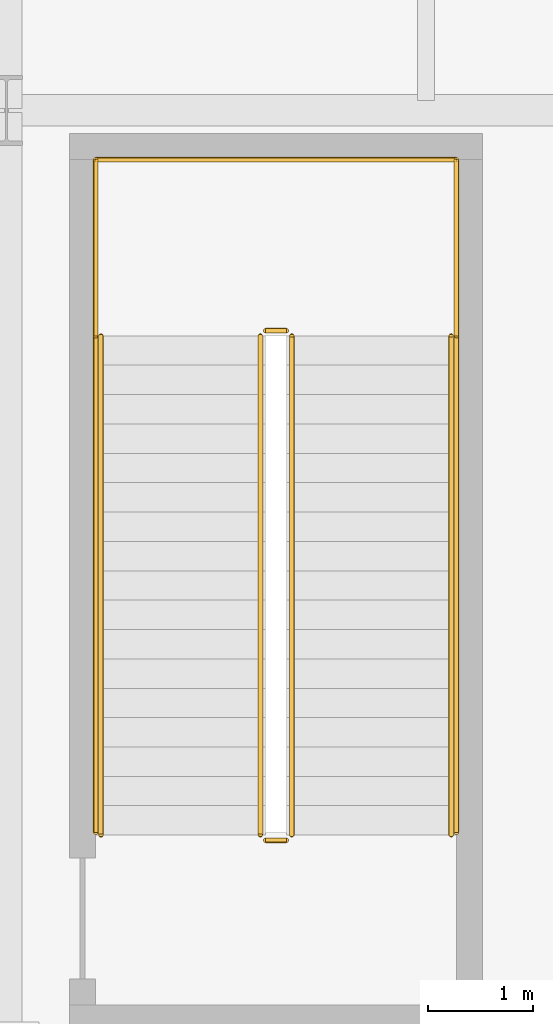
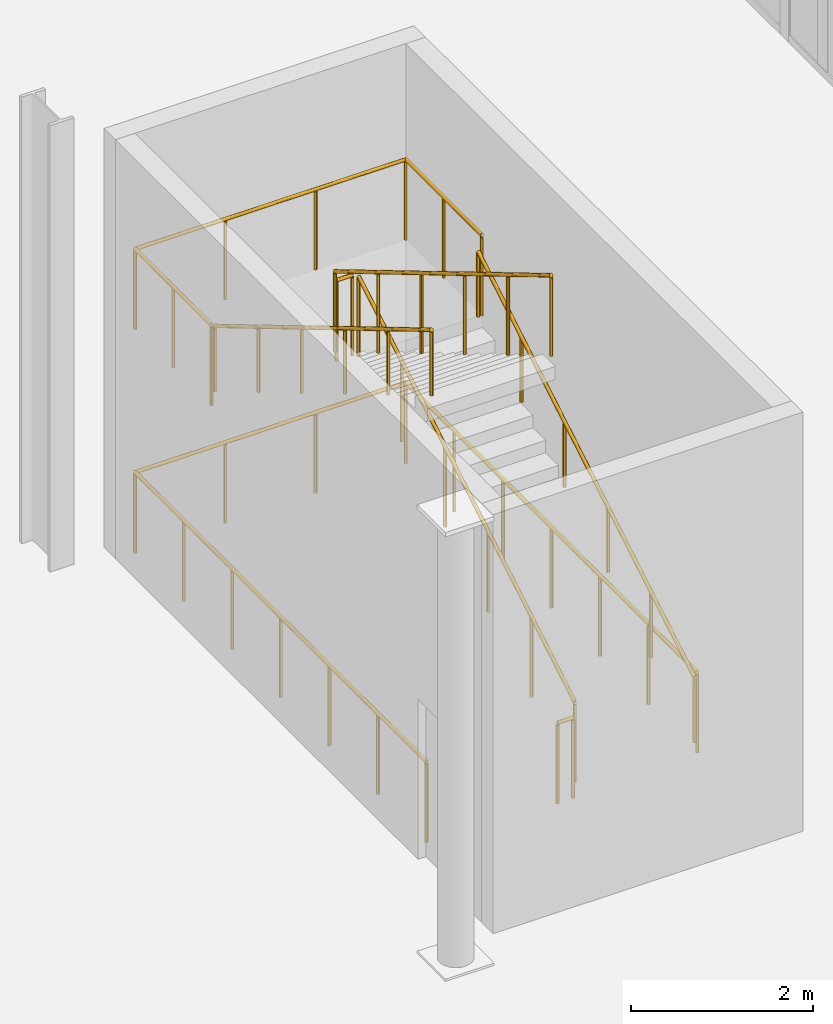
# One storey, part 200 of 211: 12 railings.
"""IFC4 building model written with IfcOpenShell, lengths in metres."""

from ifc_helpers import new_model, si_unit, direction, frame, origin, origin_2d, place, context, subcontext, project, spatial, circle, extrude, material, type_object, element, save


model = new_model("IFC4")

# Units and contexts
model_context = context("Model", 3, precision=1e-05, world=origin(), true_north=direction((0.0, 1.0)))
body_context = subcontext(model_context, "Body", "Model", "MODEL_VIEW")
ifc_project = project(units=[si_unit("LENGTHUNIT", "METRE"), si_unit("AREAUNIT", "SQUARE_METRE"), si_unit("VOLUMEUNIT", "CUBIC_METRE"), si_unit("PLANEANGLEUNIT", "RADIAN"), si_unit("MASSUNIT", "GRAM", prefix="KILO")], contexts=[model_context])

# Site, building, storey
site_placement = place(None, origin())
site = spatial("IfcSite", under=ifc_project, at=site_placement, CompositionType="ELEMENT")
building_placement = place(site_placement, origin())
building = spatial("IfcBuilding", under=site, at=building_placement, Name="Barlavento Convention Centre", CompositionType="ELEMENT")
storey_placement = place(building_placement, frame((0.0, 0.0, 6.0)))
storey = spatial("IfcBuildingStorey", under=building, at=storey_placement, Name="L01", CompositionType="ELEMENT", Elevation=6.0)

# Railings
ifc_material_1 = material(Name="Stainless steel and laminated glass balustrade", Category="steel")
railing_type_1 = type_object("IfcRailingType", Name="ARC-RAL-BAL-1100", PredefinedType="BALUSTRADE", material=ifc_material_1)
railing_1_placement = place(storey_placement, frame((182.719970703125, 11.090087890625, 0.166748046875)))
element("IfcRailing", 1, at=railing_1_placement, inside=storey, type_object=railing_type_1, Name="L01 ST14 stair guard 1", PredefinedType="BALUSTRADE", context=body_context, shape_type="SweptSolid", body=[
    extrude(circle(Radius=0.02392578125, at=origin_2d()), frame((0.0, 0.0, 1.076171875), z_axis=(0.0, 0.859299802514, 0.511472237174), x_axis=(-1.0, 0.0, 0.0)), (0.0, 0.0, 1.0), 5.539306640625),
    extrude(circle(Radius=0.02099609375, at=origin_2d()), origin(), (0.0, 0.0, 1.0), 1.052001953125),
    extrude(circle(Radius=0.02099609375, at=origin_2d()), frame((0.0, 0.951904296875, 0.566650390625)), (0.0, 0.0, 1.0), 1.052001953125),
    extrude(circle(Radius=0.02099609375, at=origin_2d()), frame((0.0, 1.904052734375, 1.13330078125)), (0.0, 0.0, 1.0), 1.052001953125),
    extrude(circle(Radius=0.02099609375, at=origin_2d()), frame((0.0, 2.85595703125, 1.699951171875)), (0.0, 0.0, 1.0), 1.052001953125),
    extrude(circle(Radius=0.02099609375, at=origin_2d()), frame((0.0, 3.80810546875, 2.2666015625)), (0.0, 0.0, 1.0), 1.052001953125),
    extrude(circle(Radius=0.02099609375, at=origin_2d()), frame((0.0, 4.760009765625, 2.833251953125)), (0.0, 0.0, 1.0), 1.052001953125),
])
railing_2_placement = place(storey_placement, frame((182.669921875, 15.89990234375, 3.0)))
element("IfcRailing", 2, at=railing_2_placement, inside=storey, type_object=railing_type_1, Name="L01 ST14 stair guard 2", PredefinedType="BALUSTRADE", context=body_context, shape_type="SweptSolid", body=[
    extrude(circle(Radius=0.02392578125, at=origin_2d()), frame((0.0, 0.0, 1.076171875), z_axis=(-1.0, 0.0, 0.0), x_axis=(0.0, -1.0, 0.0)), (0.0, 0.0, 1.0), 0.199951171875),
    extrude(circle(Radius=0.02099609375, at=origin_2d()), origin(), (0.0, 0.0, 1.0), 1.052001953125),
    extrude(circle(Radius=0.02099609375, at=origin_2d()), frame((-0.199951171875, 0.0, 0.0)), (0.0, 0.0, 1.0), 1.052001953125),
])
railing_3_placement = place(storey_placement, frame((182.419921875, 15.85009765625, 3.166748046875)))
element("IfcRailing", 3, at=railing_3_placement, inside=storey, type_object=railing_type_1, Name="L01 ST14 stair guard 3", PredefinedType="BALUSTRADE", context=body_context, shape_type="SweptSolid", body=[
    extrude(circle(Radius=0.02392578125, at=origin_2d()), frame((0.0, 0.0, 1.076171875), z_axis=(0.0, -0.859299802514, 0.511472237174), x_axis=(1.0, 0.0, 0.0)), (0.0, 0.0, 1.0), 5.539306640625),
    extrude(circle(Radius=0.02099609375, at=origin_2d()), origin(), (0.0, 0.0, 1.0), 1.052001953125),
    extrude(circle(Radius=0.02099609375, at=origin_2d()), frame((0.0, -0.951904296875, 0.566650390625)), (0.0, 0.0, 1.0), 1.052001953125),
    extrude(circle(Radius=0.02099609375, at=origin_2d()), frame((0.0, -1.904052734375, 1.13330078125)), (0.0, 0.0, 1.0), 1.052001953125),
    extrude(circle(Radius=0.02099609375, at=origin_2d()), frame((0.0, -2.85595703125, 1.699951171875)), (0.0, 0.0, 1.0), 1.052001953125),
    extrude(circle(Radius=0.02099609375, at=origin_2d()), frame((0.0, -3.80810546875, 2.2666015625)), (0.0, 0.0, 1.0), 1.052001953125),
    extrude(circle(Radius=0.02099609375, at=origin_2d()), frame((0.0, -4.760009765625, 2.833251953125)), (0.0, 0.0, 1.0), 1.052001953125),
])
railing_4_placement = place(storey_placement, frame((182.669921875, 11.0400390625, 0.0)))
element("IfcRailing", 4, at=railing_4_placement, inside=storey, type_object=railing_type_1, Name="L01 ST14 stair guard 4", PredefinedType="BALUSTRADE", context=body_context, shape_type="SweptSolid", body=[
    extrude(circle(Radius=0.02392578125, at=origin_2d()), frame((0.0, 0.0, 1.076171875), z_axis=(-1.0, 0.0, 0.0), x_axis=(0.0, -1.0, 0.0)), (0.0, 0.0, 1.0), 0.199951171875),
    extrude(circle(Radius=0.02099609375, at=origin_2d()), origin(), (0.0, 0.0, 1.0), 1.052001953125),
    extrude(circle(Radius=0.02099609375, at=origin_2d()), frame((-0.199951171875, 0.0, 0.0)), (0.0, 0.0, 1.0), 1.052001953125),
])
for number, where, name in (
    (5, (184.2900390625, 15.85009765625, 3.0), "L01 landing guard GR01"),
    (6, (180.85009765625, 15.85009765625, 3.0), "L01 landing guard GR01"),
):
    element("IfcRailing", number, at=place(storey_placement, frame(where)), inside=storey, type_object=railing_type_1, Name=name, PredefinedType="BALUSTRADE", context=body_context, shape_type="SweptSolid", body=[
        extrude(circle(Radius=0.02392578125, at=origin_2d()), frame((0.0, 0.0, 1.076171875), z_axis=(0.0, 1.0, 0.0), x_axis=(-1.0, 0.0, 0.0)), (0.0, 0.0, 1.0), 1.679931640625),
        extrude(circle(Radius=0.02099609375, at=origin_2d()), origin(), (0.0, 0.0, 1.0), 1.052001953125),
        extrude(circle(Radius=0.02099609375, at=origin_2d()), frame((0.0, 0.83984375, 0.0)), (0.0, 0.0, 1.0), 1.052001953125),
        extrude(circle(Radius=0.02099609375, at=origin_2d()), frame((0.0, 1.679931640625, 0.0)), (0.0, 0.0, 1.0), 1.052001953125),
    ])
railing_5_placement = place(storey_placement, frame((184.2900390625, 17.530029296875, 3.0)))
element("IfcRailing", 7, at=railing_5_placement, inside=storey, type_object=railing_type_1, Name="L01 landing guard GR01", PredefinedType="BALUSTRADE", context=body_context, shape_type="SweptSolid", body=[
    extrude(circle(Radius=0.02392578125, at=origin_2d()), frame((0.0, 0.0, 1.076171875), z_axis=(-1.0, 0.0, 0.0), x_axis=(0.0, -1.0, 0.0)), (0.0, 0.0, 1.0), 3.43994140625),
    extrude(circle(Radius=0.02099609375, at=origin_2d()), origin(), (0.0, 0.0, 1.0), 1.052001953125),
    extrude(circle(Radius=0.02099609375, at=origin_2d()), frame((-1.146728515625, 0.0, 0.0)), (0.0, 0.0, 1.0), 1.052001953125),
    extrude(circle(Radius=0.02099609375, at=origin_2d()), frame((-2.293212890625, 0.0, 0.0)), (0.0, 0.0, 1.0), 1.052001953125),
    extrude(circle(Radius=0.02099609375, at=origin_2d()), frame((-3.43994140625, 0.0, 0.0)), (0.0, 0.0, 1.0), 1.052001953125),
])
railing_6_placement = place(storey_placement, frame((184.2900390625, 11.114990234375, 0.0)))
element("IfcRailing", 8, at=railing_6_placement, inside=storey, type_object=railing_type_1, Name="L01 stairwell perimeter guard GR01", PredefinedType="BALUSTRADE", context=body_context, shape_type="SweptSolid", body=[
    extrude(circle(Radius=0.02392578125, at=origin_2d()), frame((0.0, 0.0, 1.076171875), z_axis=(0.0, 1.0, 0.0), x_axis=(-1.0, 0.0, 0.0)), (0.0, 0.0, 1.0), 6.4150390625),
    extrude(circle(Radius=0.02099609375, at=origin_2d()), origin(), (0.0, 0.0, 1.0), 1.052001953125),
    extrude(circle(Radius=0.02099609375, at=origin_2d()), frame((0.0, 1.069091796875, 0.0)), (0.0, 0.0, 1.0), 1.052001953125),
    extrude(circle(Radius=0.02099609375, at=origin_2d()), frame((0.0, 2.138427734375, 0.0)), (0.0, 0.0, 1.0), 1.052001953125),
    extrude(circle(Radius=0.02099609375, at=origin_2d()), frame((0.0, 3.20751953125, 0.0)), (0.0, 0.0, 1.0), 1.052001953125),
    extrude(circle(Radius=0.02099609375, at=origin_2d()), frame((0.0, 4.276611328125, 0.0)), (0.0, 0.0, 1.0), 1.052001953125),
    extrude(circle(Radius=0.02099609375, at=origin_2d()), frame((0.0, 5.345947265625, 0.0)), (0.0, 0.0, 1.0), 1.052001953125),
    extrude(circle(Radius=0.02099609375, at=origin_2d()), frame((0.0, 6.4150390625, 0.0)), (0.0, 0.0, 1.0), 1.052001953125),
])
railing_7_placement = place(storey_placement, frame((184.2900390625, 17.530029296875, 0.0)))
element("IfcRailing", 9, at=railing_7_placement, inside=storey, type_object=railing_type_1, Name="L01 stairwell perimeter guard GR01", PredefinedType="BALUSTRADE", context=body_context, shape_type="SweptSolid", body=[
    extrude(circle(Radius=0.02392578125, at=origin_2d()), frame((0.0, 0.0, 1.076171875), z_axis=(-1.0, 0.0, 0.0), x_axis=(0.0, -1.0, 0.0)), (0.0, 0.0, 1.0), 3.43994140625),
    extrude(circle(Radius=0.02099609375, at=origin_2d()), origin(), (0.0, 0.0, 1.0), 1.052001953125),
    extrude(circle(Radius=0.02099609375, at=origin_2d()), frame((-1.146728515625, 0.0, 0.0)), (0.0, 0.0, 1.0), 1.052001953125),
    extrude(circle(Radius=0.02099609375, at=origin_2d()), frame((-2.293212890625, 0.0, 0.0)), (0.0, 0.0, 1.0), 1.052001953125),
    extrude(circle(Radius=0.02099609375, at=origin_2d()), frame((-3.43994140625, 0.0, 0.0)), (0.0, 0.0, 1.0), 1.052001953125),
])
railing_8_placement = place(storey_placement, frame((180.85009765625, 17.530029296875, 0.0)))
element("IfcRailing", 10, at=railing_8_placement, inside=storey, type_object=railing_type_1, Name="L01 stairwell perimeter guard GR01", PredefinedType="BALUSTRADE", context=body_context, shape_type="SweptSolid", body=[
    extrude(circle(Radius=0.02392578125, at=origin_2d()), frame((0.0, 0.0, 1.076171875), z_axis=(0.0, -1.0, 0.0), x_axis=(1.0, 0.0, 0.0)), (0.0, 0.0, 1.0), 6.4150390625),
    extrude(circle(Radius=0.02099609375, at=origin_2d()), origin(), (0.0, 0.0, 1.0), 1.052001953125),
    extrude(circle(Radius=0.02099609375, at=origin_2d()), frame((0.0, -1.069091796875, 0.0)), (0.0, 0.0, 1.0), 1.052001953125),
    extrude(circle(Radius=0.02099609375, at=origin_2d()), frame((0.0, -2.138427734375, 0.0)), (0.0, 0.0, 1.0), 1.052001953125),
    extrude(circle(Radius=0.02099609375, at=origin_2d()), frame((0.0, -3.20751953125, 0.0)), (0.0, 0.0, 1.0), 1.052001953125),
    extrude(circle(Radius=0.02099609375, at=origin_2d()), frame((0.0, -4.276611328125, 0.0)), (0.0, 0.0, 1.0), 1.052001953125),
    extrude(circle(Radius=0.02099609375, at=origin_2d()), frame((0.0, -5.345947265625, 0.0)), (0.0, 0.0, 1.0), 1.052001953125),
    extrude(circle(Radius=0.02099609375, at=origin_2d()), frame((0.0, -6.4150390625, 0.0)), (0.0, 0.0, 1.0), 1.052001953125),
])
ifc_material_2 = material(Name="Brushed stainless steel tubular handrail", Category="steel")
railing_type_2 = type_object("IfcRailingType", Name="ARC-RAL-HR-900", PredefinedType="HANDRAIL", material=ifc_material_2)
railing_9_placement = place(storey_placement, frame((184.239990234375, 11.090087890625, 0.166748046875)))
element("IfcRailing", 11, at=railing_9_placement, inside=storey, type_object=railing_type_2, Name="L01 ST14 stair handrail 1", PredefinedType="HANDRAIL", context=body_context, shape_type="SweptSolid", body=[
    extrude(circle(Radius=0.02392578125, at=origin_2d()), frame((0.0, 0.0, 0.8759765625), z_axis=(0.0, 0.859299802514, 0.511472237174), x_axis=(-1.0, 0.0, 0.0)), (0.0, 0.0, 1.0), 5.539306640625),
    extrude(circle(Radius=0.02099609375, at=origin_2d()), origin(), (0.0, 0.0, 1.0), 0.851806640625),
    extrude(circle(Radius=0.02099609375, at=origin_2d()), frame((0.0, 0.951904296875, 0.566650390625)), (0.0, 0.0, 1.0), 0.851806640625),
    extrude(circle(Radius=0.02099609375, at=origin_2d()), frame((0.0, 1.904052734375, 1.13330078125)), (0.0, 0.0, 1.0), 0.851806640625),
    extrude(circle(Radius=0.02099609375, at=origin_2d()), frame((0.0, 2.85595703125, 1.699951171875)), (0.0, 0.0, 1.0), 0.851806640625),
    extrude(circle(Radius=0.02099609375, at=origin_2d()), frame((0.0, 3.80810546875, 2.2666015625)), (0.0, 0.0, 1.0), 0.851806640625),
    extrude(circle(Radius=0.02099609375, at=origin_2d()), frame((0.0, 4.760009765625, 2.833251953125)), (0.0, 0.0, 1.0), 0.851806640625),
])
railing_10_placement = place(storey_placement, frame((180.89990234375, 15.85009765625, 3.166748046875)))
element("IfcRailing", 12, at=railing_10_placement, inside=storey, type_object=railing_type_2, Name="L01 ST14 stair handrail 2", PredefinedType="HANDRAIL", context=body_context, shape_type="SweptSolid", body=[
    extrude(circle(Radius=0.02392578125, at=origin_2d()), frame((0.0, 0.0, 0.8759765625), z_axis=(0.0, -0.859299802514, 0.511472237174), x_axis=(1.0, 0.0, 0.0)), (0.0, 0.0, 1.0), 5.539306640625),
    extrude(circle(Radius=0.02099609375, at=origin_2d()), origin(), (0.0, 0.0, 1.0), 0.851806640625),
    extrude(circle(Radius=0.02099609375, at=origin_2d()), frame((0.0, -0.951904296875, 0.566650390625)), (0.0, 0.0, 1.0), 0.851806640625),
    extrude(circle(Radius=0.02099609375, at=origin_2d()), frame((0.0, -1.904052734375, 1.13330078125)), (0.0, 0.0, 1.0), 0.851806640625),
    extrude(circle(Radius=0.02099609375, at=origin_2d()), frame((0.0, -2.85595703125, 1.699951171875)), (0.0, 0.0, 1.0), 0.851806640625),
    extrude(circle(Radius=0.02099609375, at=origin_2d()), frame((0.0, -3.80810546875, 2.2666015625)), (0.0, 0.0, 1.0), 0.851806640625),
    extrude(circle(Radius=0.02099609375, at=origin_2d()), frame((0.0, -4.760009765625, 2.833251953125)), (0.0, 0.0, 1.0), 0.851806640625),
])

save(model, "model.ifc")
